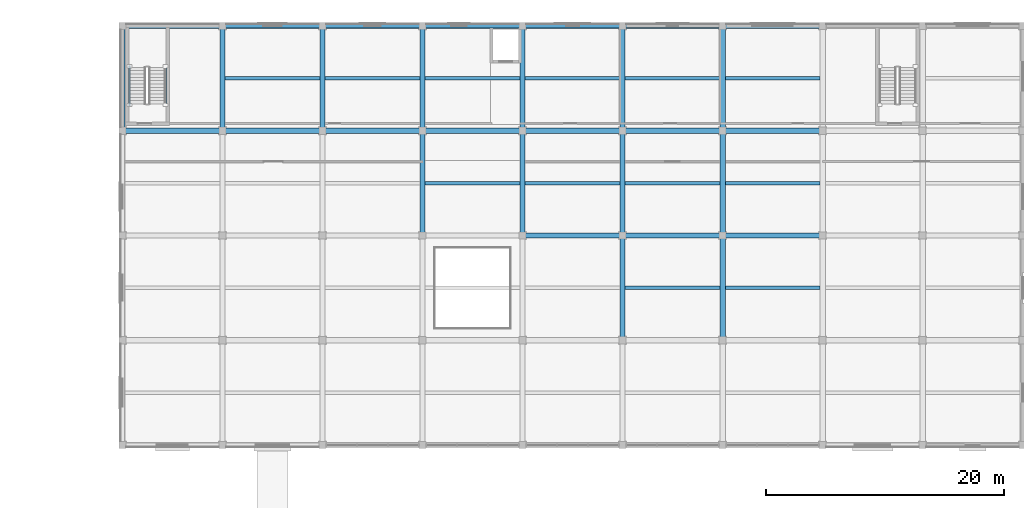
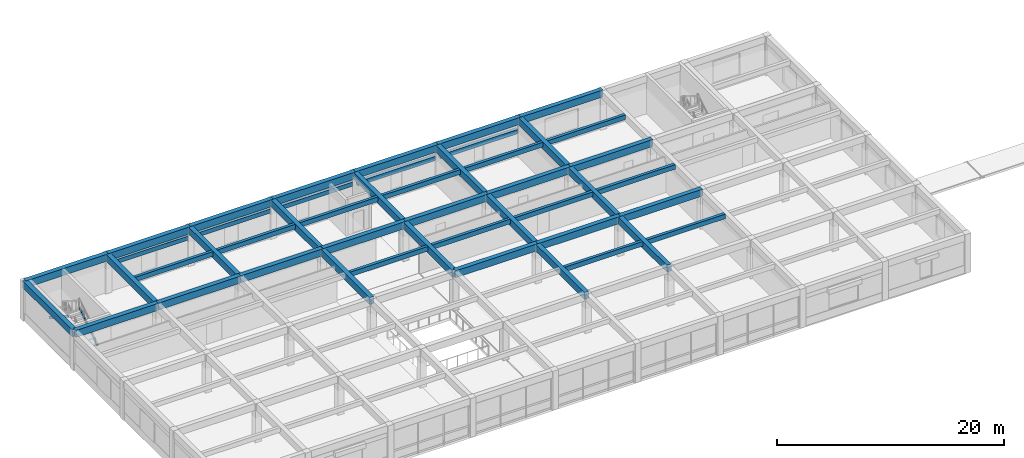
# One storey, part 14 of 46: 47 beams, 2 members.
"""IFC4 building model written with IfcOpenShell, lengths in metres."""

from ifc_helpers import new_model, si_unit, direction, frame, origin, origin_2d, place, context, subcontext, project, spatial, rectangle, hollow_rectangle, extrude, material, material_profile, profile_set, type_object, element, save


model = new_model("IFC4")

# Units and contexts
model_context = context("Model", 3, precision=1e-05, world=origin(), true_north=direction((0.0, 1.0)))
body_context = subcontext(model_context, "Body", "Model", "MODEL_VIEW")
ifc_project = project(units=[si_unit("LENGTHUNIT", "METRE"), si_unit("AREAUNIT", "SQUARE_METRE"), si_unit("VOLUMEUNIT", "CUBIC_METRE"), si_unit("PLANEANGLEUNIT", "RADIAN"), si_unit("MASSUNIT", "GRAM", prefix="KILO")], contexts=[model_context])

# Site, building, storey
site_placement = place(None, origin())
site = spatial("IfcSite", under=ifc_project, at=site_placement, CompositionType="ELEMENT")
building_placement = place(site_placement, origin())
building = spatial("IfcBuilding", under=site, at=building_placement, Name="Kemercrest Conservatory and Botanical Centre", CompositionType="ELEMENT")
storey_placement = place(building_placement, frame((0.0, 0.0, 9.0)))
storey = spatial("IfcBuildingStorey", under=building, at=storey_placement, Name="L02", CompositionType="ELEMENT", Elevation=9.0)

# Beams
ifc_material_1 = material(Name="Concrete C40/50", Category="concrete")
ifc_material_profile_1 = material_profile(ifc_material_1, rectangle(XDim=0.449951171875, YDim=0.75, at=origin_2d()), Name="RC 450x750")
ifc_profile_set_1 = profile_set([ifc_material_profile_1], Name="Concrete C40/50")
beam_type_1 = type_object("IfcBeamType", Name="BM-RC75", PredefinedType="BEAM", material=ifc_profile_set_1)
beam_1_placement = place(storey_placement, frame((50.0, 104.800048828125, 3.824951171875), z_axis=(1.0, 0.0, 0.0), x_axis=(0.0, 1.0, 0.0)))
element("IfcBeam", 1, at=beam_1_placement, inside=storey, type_object=beam_type_1, Name="V3-L03 beam BM-RC75 M/06-07", PredefinedType="BEAM", context=body_context, shape_type="SweptSolid", body=[
    extrude(rectangle(XDim=0.449951171875, YDim=0.75, at=origin_2d()), origin(), (0.0, 0.0, 1.0), 8.39990234375),
])
beam_2_placement = place(storey_placement, frame((58.39990234375, 104.800048828125, 3.824951171875), z_axis=(1.0, 0.0, 0.0), x_axis=(0.0, 1.0, 0.0)))
element("IfcBeam", 2, at=beam_2_placement, inside=storey, type_object=beam_type_1, Name="V3-L03 beam BM-RC75 M/07-08", PredefinedType="BEAM", context=body_context, shape_type="SweptSolid", body=[
    extrude(rectangle(XDim=0.449951171875, YDim=0.75, at=origin_2d()), origin(), (0.0, 0.0, 1.0), 8.400146484375),
])
beam_3_placement = place(storey_placement, frame((66.800048828125, 104.800048828125, 3.824951171875), z_axis=(1.0, 0.0, 0.0), x_axis=(0.0, 1.0, 0.0)))
element("IfcBeam", 3, at=beam_3_placement, inside=storey, type_object=beam_type_1, Name="V3-L03 beam BM-RC75 M/08-09", PredefinedType="BEAM", context=body_context, shape_type="SweptSolid", body=[
    extrude(rectangle(XDim=0.449951171875, YDim=0.75, at=origin_2d()), origin(), (0.0, 0.0, 1.0), 8.39990234375),
])
beam_4_placement = place(storey_placement, frame((16.39990234375, 113.60009765625, 3.824951171875), z_axis=(1.0, 0.0, 0.0), x_axis=(0.0, 1.0, 0.0)))
element("IfcBeam", 4, at=beam_4_placement, inside=storey, type_object=beam_type_1, Name="V3-L03 beam BM-RC75 N/02-03", PredefinedType="BEAM", context=body_context, shape_type="SweptSolid", body=[
    extrude(rectangle(XDim=0.449951171875, YDim=0.75, at=origin_2d()), origin(), (0.0, 0.0, 1.0), 8.400146484375),
])
beam_5_placement = place(storey_placement, frame((24.800048828125, 113.60009765625, 3.824951171875), z_axis=(1.0, 0.0, 0.0), x_axis=(0.0, 1.0, 0.0)))
element("IfcBeam", 5, at=beam_5_placement, inside=storey, type_object=beam_type_1, Name="V3-L03 beam BM-RC75 N/03-04", PredefinedType="BEAM", context=body_context, shape_type="SweptSolid", body=[
    extrude(rectangle(XDim=0.449951171875, YDim=0.75, at=origin_2d()), origin(), (0.0, 0.0, 1.0), 8.39990234375),
])
beam_6_placement = place(storey_placement, frame((33.199951171875, 113.60009765625, 3.824951171875), z_axis=(1.0, 0.0, 0.0), x_axis=(0.0, 1.0, 0.0)))
element("IfcBeam", 6, at=beam_6_placement, inside=storey, type_object=beam_type_1, Name="V3-L03 beam BM-RC75 N/04-05", PredefinedType="BEAM", context=body_context, shape_type="SweptSolid", body=[
    extrude(rectangle(XDim=0.449951171875, YDim=0.75, at=origin_2d()), origin(), (0.0, 0.0, 1.0), 8.400146484375),
])
for number, where, z_axis, x_axis, name in (
    (7, (41.60009765625, 113.60009765625, 3.824951171875), (1.0, 0.0, 0.0), (0.0, 1.0, 0.0), "V3-L03 beam BM-RC75 N/05-06"),
    (8, (50.0, 113.60009765625, 3.824951171875), (1.0, 0.0, 0.0), (0.0, 1.0, 0.0), "V3-L03 beam BM-RC75 N/06-07"),
):
    element("IfcBeam", number, at=place(storey_placement, frame(where, z_axis=z_axis, x_axis=x_axis)), inside=storey, type_object=beam_type_1, Name=name, PredefinedType="BEAM", context=body_context, shape_type="SweptSolid", body=[
        extrude(rectangle(XDim=0.449951171875, YDim=0.75, at=origin_2d()), origin(), (0.0, 0.0, 1.0), 8.39990234375),
    ])
beam_7_placement = place(storey_placement, frame((58.39990234375, 113.60009765625, 3.824951171875), z_axis=(1.0, 0.0, 0.0), x_axis=(0.0, 1.0, 0.0)))
element("IfcBeam", 9, at=beam_7_placement, inside=storey, type_object=beam_type_1, Name="V3-L03 beam BM-RC75 N/07-08", PredefinedType="BEAM", context=body_context, shape_type="SweptSolid", body=[
    extrude(rectangle(XDim=0.449951171875, YDim=0.75, at=origin_2d()), origin(), (0.0, 0.0, 1.0), 8.400146484375),
])
beam_8_placement = place(storey_placement, frame((66.800048828125, 113.60009765625, 3.824951171875), z_axis=(1.0, 0.0, 0.0), x_axis=(0.0, 1.0, 0.0)))
element("IfcBeam", 10, at=beam_8_placement, inside=storey, type_object=beam_type_1, Name="V3-L03 beam BM-RC75 N/08-09", PredefinedType="BEAM", context=body_context, shape_type="SweptSolid", body=[
    extrude(rectangle(XDim=0.449951171875, YDim=0.75, at=origin_2d()), origin(), (0.0, 0.0, 1.0), 8.39990234375),
])
for number, where, z_axis, x_axis, name in (
    (11, (24.800048828125, 113.60009765625, 3.824951171875), (0.0, 1.0, 0.0), (-1.0, 0.0, 0.0), "V3-L03 beam BM-RC75 03/N-P"),
    (12, (33.199951171875, 113.60009765625, 3.824951171875), (0.0, 1.0, 0.0), (-1.0, 0.0, 0.0), "V3-L03 beam BM-RC75 04/N-P"),
):
    element("IfcBeam", number, at=place(storey_placement, frame(where, z_axis=z_axis, x_axis=x_axis)), inside=storey, type_object=beam_type_1, Name=name, PredefinedType="BEAM", context=body_context, shape_type="SweptSolid", body=[
        extrude(rectangle(XDim=0.449951171875, YDim=0.75, at=origin_2d()), origin(), (0.0, 0.0, 1.0), 8.7998046875),
    ])
beam_9_placement = place(storey_placement, frame((41.60009765625, 104.800048828125, 3.824951171875), z_axis=(0.0, 1.0, 0.0), x_axis=(-1.0, 0.0, 0.0)))
element("IfcBeam", 13, at=beam_9_placement, inside=storey, type_object=beam_type_1, Name="V3-L03 beam BM-RC75 05/M-N", PredefinedType="BEAM", context=body_context, shape_type="SweptSolid", body=[
    extrude(rectangle(XDim=0.449951171875, YDim=0.75, at=origin_2d()), origin(), (0.0, 0.0, 1.0), 8.800048828125),
])
beam_10_placement = place(storey_placement, frame((41.60009765625, 113.60009765625, 3.824951171875), z_axis=(0.0, 1.0, 0.0), x_axis=(-1.0, 0.0, 0.0)))
element("IfcBeam", 14, at=beam_10_placement, inside=storey, type_object=beam_type_1, Name="V3-L03 beam BM-RC75 05/N-P", PredefinedType="BEAM", context=body_context, shape_type="SweptSolid", body=[
    extrude(rectangle(XDim=0.449951171875, YDim=0.75, at=origin_2d()), origin(), (0.0, 0.0, 1.0), 8.7998046875),
])
beam_11_placement = place(storey_placement, frame((50.0, 104.800048828125, 3.824951171875), z_axis=(0.0, 1.0, 0.0), x_axis=(-1.0, 0.0, 0.0)))
element("IfcBeam", 15, at=beam_11_placement, inside=storey, type_object=beam_type_1, Name="V3-L03 beam BM-RC75 06/M-N", PredefinedType="BEAM", context=body_context, shape_type="SweptSolid", body=[
    extrude(rectangle(XDim=0.449951171875, YDim=0.75, at=origin_2d()), origin(), (0.0, 0.0, 1.0), 8.800048828125),
])
beam_12_placement = place(storey_placement, frame((50.0, 113.60009765625, 3.824951171875), z_axis=(0.0, 1.0, 0.0), x_axis=(-1.0, 0.0, 0.0)))
element("IfcBeam", 16, at=beam_12_placement, inside=storey, type_object=beam_type_1, Name="V3-L03 beam BM-RC75 06/N-P", PredefinedType="BEAM", context=body_context, shape_type="SweptSolid", body=[
    extrude(rectangle(XDim=0.449951171875, YDim=0.75, at=origin_2d()), origin(), (0.0, 0.0, 1.0), 8.7998046875),
])
for number, where, z_axis, x_axis, name in (
    (17, (58.39990234375, 96.0, 3.824951171875), (0.0, 1.0, 0.0), (-1.0, 0.0, 0.0), "V3-L03 beam BM-RC75 07/L-M"),
    (18, (58.39990234375, 104.800048828125, 3.824951171875), (0.0, 1.0, 0.0), (-1.0, 0.0, 0.0), "V3-L03 beam BM-RC75 07/M-N"),
):
    element("IfcBeam", number, at=place(storey_placement, frame(where, z_axis=z_axis, x_axis=x_axis)), inside=storey, type_object=beam_type_1, Name=name, PredefinedType="BEAM", context=body_context, shape_type="SweptSolid", body=[
        extrude(rectangle(XDim=0.449951171875, YDim=0.75, at=origin_2d()), origin(), (0.0, 0.0, 1.0), 8.800048828125),
    ])
beam_13_placement = place(storey_placement, frame((58.39990234375, 113.60009765625, 3.824951171875), z_axis=(0.0, 1.0, 0.0), x_axis=(-1.0, 0.0, 0.0)))
element("IfcBeam", 19, at=beam_13_placement, inside=storey, type_object=beam_type_1, Name="V3-L03 beam BM-RC75 07/N-P", PredefinedType="BEAM", context=body_context, shape_type="SweptSolid", body=[
    extrude(rectangle(XDim=0.449951171875, YDim=0.75, at=origin_2d()), origin(), (0.0, 0.0, 1.0), 8.7998046875),
])
for number, where, z_axis, x_axis, name in (
    (20, (66.800048828125, 96.0, 3.824951171875), (0.0, 1.0, 0.0), (-1.0, 0.0, 0.0), "V3-L03 beam BM-RC75 08/L-M"),
    (21, (66.800048828125, 104.800048828125, 3.824951171875), (0.0, 1.0, 0.0), (-1.0, 0.0, 0.0), "V3-L03 beam BM-RC75 08/M-N"),
):
    element("IfcBeam", number, at=place(storey_placement, frame(where, z_axis=z_axis, x_axis=x_axis)), inside=storey, type_object=beam_type_1, Name=name, PredefinedType="BEAM", context=body_context, shape_type="SweptSolid", body=[
        extrude(rectangle(XDim=0.449951171875, YDim=0.75, at=origin_2d()), origin(), (0.0, 0.0, 1.0), 8.800048828125),
    ])
beam_14_placement = place(storey_placement, frame((66.800048828125, 113.60009765625, 3.824951171875), z_axis=(0.0, 1.0, 0.0), x_axis=(-1.0, 0.0, 0.0)))
element("IfcBeam", 22, at=beam_14_placement, inside=storey, type_object=beam_type_1, Name="V3-L03 beam BM-RC75 08/N-P", PredefinedType="BEAM", context=body_context, shape_type="SweptSolid", body=[
    extrude(rectangle(XDim=0.449951171875, YDim=0.75, at=origin_2d()), origin(), (0.0, 0.0, 1.0), 8.7998046875),
])
ifc_material_profile_2 = material_profile(ifc_material_1, rectangle(XDim=0.300048828125, YDim=0.5, at=origin_2d()), Name="RC 300x500")
ifc_profile_set_2 = profile_set([ifc_material_profile_2], Name="Concrete C40/50")
beam_type_2 = type_object("IfcBeamType", Name="JS-RC50", PredefinedType="JOIST", material=ifc_profile_set_2)
beam_15_placement = place(storey_placement, frame((58.625, 100.39990234375, 3.949951171875), z_axis=(1.0, 0.0, 0.0), x_axis=(0.0, 1.0, 0.0)))
element("IfcBeam", 23, at=beam_15_placement, inside=storey, type_object=beam_type_2, Name="V3-L03 secondary joist JS-RC50", PredefinedType="JOIST", context=body_context, shape_type="SweptSolid", body=[
    extrude(rectangle(XDim=0.300048828125, YDim=0.5, at=origin_2d()), origin(), (0.0, 0.0, 1.0), 7.949951171875),
])
beam_16_placement = place(storey_placement, frame((67.02490234375, 100.39990234375, 3.949951171875), z_axis=(1.0, 0.0, 0.0), x_axis=(0.0, 1.0, 0.0)))
element("IfcBeam", 24, at=beam_16_placement, inside=storey, type_object=beam_type_2, Name="V3-L03 secondary joist JS-RC50", PredefinedType="JOIST", context=body_context, shape_type="SweptSolid", body=[
    extrude(rectangle(XDim=0.300048828125, YDim=0.5, at=origin_2d()), origin(), (0.0, 0.0, 1.0), 7.9501953125),
])
for number, where, z_axis, x_axis, name in (
    (25, (41.824951171875, 109.199951171875, 3.949951171875), (1.0, 0.0, 0.0), (0.0, 1.0, 0.0), "V3-L03 secondary joist JS-RC50"),
    (26, (50.22509765625, 109.199951171875, 3.949951171875), (1.0, 0.0, 0.0), (0.0, 1.0, 0.0), "V3-L03 secondary joist JS-RC50"),
    (27, (58.625, 109.199951171875, 3.949951171875), (1.0, 0.0, 0.0), (0.0, 1.0, 0.0), "V3-L03 secondary joist JS-RC50"),
):
    element("IfcBeam", number, at=place(storey_placement, frame(where, z_axis=z_axis, x_axis=x_axis)), inside=storey, type_object=beam_type_2, Name=name, PredefinedType="JOIST", context=body_context, shape_type="SweptSolid", body=[
        extrude(rectangle(XDim=0.300048828125, YDim=0.5, at=origin_2d()), origin(), (0.0, 0.0, 1.0), 7.949951171875),
    ])
for number, where, z_axis, x_axis, name in (
    (28, (67.02490234375, 109.199951171875, 3.949951171875), (1.0, 0.0, 0.0), (0.0, 1.0, 0.0), "V3-L03 secondary joist JS-RC50"),
    (29, (25.02490234375, 118.0, 3.949951171875), (1.0, 0.0, 0.0), (0.0, 1.0, 0.0), "V3-L03 secondary joist JS-RC50"),
):
    element("IfcBeam", number, at=place(storey_placement, frame(where, z_axis=z_axis, x_axis=x_axis)), inside=storey, type_object=beam_type_2, Name=name, PredefinedType="JOIST", context=body_context, shape_type="SweptSolid", body=[
        extrude(rectangle(XDim=0.300048828125, YDim=0.5, at=origin_2d()), origin(), (0.0, 0.0, 1.0), 7.9501953125),
    ])
for number, where, z_axis, x_axis, name in (
    (30, (33.425048828125, 118.0, 3.949951171875), (1.0, 0.0, 0.0), (0.0, 1.0, 0.0), "V3-L03 secondary joist JS-RC50"),
    (31, (41.824951171875, 118.0, 3.949951171875), (1.0, 0.0, 0.0), (0.0, 1.0, 0.0), "V3-L03 secondary joist JS-RC50"),
    (32, (50.22509765625, 118.0, 3.949951171875), (1.0, 0.0, 0.0), (0.0, 1.0, 0.0), "V3-L03 secondary joist JS-RC50"),
    (33, (58.625, 118.0, 3.949951171875), (1.0, 0.0, 0.0), (0.0, 1.0, 0.0), "V3-L03 secondary joist JS-RC50"),
):
    element("IfcBeam", number, at=place(storey_placement, frame(where, z_axis=z_axis, x_axis=x_axis)), inside=storey, type_object=beam_type_2, Name=name, PredefinedType="JOIST", context=body_context, shape_type="SweptSolid", body=[
        extrude(rectangle(XDim=0.300048828125, YDim=0.5, at=origin_2d()), origin(), (0.0, 0.0, 1.0), 7.949951171875),
    ])
beam_17_placement = place(storey_placement, frame((67.02490234375, 118.0, 3.949951171875), z_axis=(1.0, 0.0, 0.0), x_axis=(0.0, 1.0, 0.0)))
element("IfcBeam", 34, at=beam_17_placement, inside=storey, type_object=beam_type_2, Name="V3-L03 secondary joist JS-RC50", PredefinedType="JOIST", context=body_context, shape_type="SweptSolid", body=[
    extrude(rectangle(XDim=0.300048828125, YDim=0.5, at=origin_2d()), origin(), (0.0, 0.0, 1.0), 7.9501953125),
])
ifc_material_2 = material(Name="Precast concrete C40/50", Category="concrete")
ifc_material_profile_3 = material_profile(ifc_material_2, rectangle(XDim=0.35009765625, YDim=0.449951171875, at=origin_2d()), Name="RC 350x450")
ifc_profile_set_3 = profile_set([ifc_material_profile_3], Name="Precast concrete C40/50")
beam_type_3 = type_object("IfcBeamType", Name="LN-RC47", PredefinedType="LINTEL", material=ifc_profile_set_3)
beam_18_placement = place(storey_placement, frame((66.550048828125, 122.39990234375, 2.72509765625), z_axis=(-1.0, 0.0, 0.0), x_axis=(0.0, -1.0, 0.0)))
element("IfcBeam", 35, at=beam_18_placement, inside=storey, type_object=beam_type_3, Name="Precast arched window lintel (WIN:L02:EXT-128)", PredefinedType="LINTEL", context=body_context, shape_type="SweptSolid", body=[
    extrude(rectangle(XDim=0.35009765625, YDim=0.449951171875, at=origin_2d()), origin(), (0.0, 0.0, 1.0), 7.900146484375),
])
for number, where, z_axis, x_axis, name in (
    (36, (58.14990234375, 122.39990234375, 2.77490234375), (-1.0, 0.0, 0.0), (0.0, -1.0, 0.0), "Precast arched window lintel (WIN:L02:EXT-129)"),
    (37, (49.75, 122.39990234375, 2.945068359375), (-1.0, 0.0, 0.0), (0.0, -1.0, 0.0), "Precast arched window lintel (WIN:L02:EXT-130)"),
):
    element("IfcBeam", number, at=place(storey_placement, frame(where, z_axis=z_axis, x_axis=x_axis)), inside=storey, type_object=beam_type_3, Name=name, PredefinedType="LINTEL", context=body_context, shape_type="SweptSolid", body=[
        extrude(rectangle(XDim=0.35009765625, YDim=0.449951171875, at=origin_2d()), origin(), (0.0, 0.0, 1.0), 7.89990234375),
    ])
beam_19_placement = place(storey_placement, frame((41.35009765625, 122.39990234375, 2.985107421875), z_axis=(-1.0, 0.0, 0.0), x_axis=(0.0, -1.0, 0.0)))
element("IfcBeam", 38, at=beam_19_placement, inside=storey, type_object=beam_type_3, Name="Precast arched window lintel (WIN:L02:EXT-131)", PredefinedType="LINTEL", context=body_context, shape_type="SweptSolid", body=[
    extrude(rectangle(XDim=0.35009765625, YDim=0.449951171875, at=origin_2d()), origin(), (0.0, 0.0, 1.0), 7.900146484375),
])
beam_20_placement = place(storey_placement, frame((32.949951171875, 122.39990234375, 3.0048828125), z_axis=(-1.0, 0.0, 0.0), x_axis=(0.0, -1.0, 0.0)))
element("IfcBeam", 39, at=beam_20_placement, inside=storey, type_object=beam_type_3, Name="Precast arched window lintel (WIN:L02:EXT-132)", PredefinedType="LINTEL", context=body_context, shape_type="SweptSolid", body=[
    extrude(rectangle(XDim=0.35009765625, YDim=0.449951171875, at=origin_2d()), origin(), (0.0, 0.0, 1.0), 7.89990234375),
])
ifc_material_profile_4 = material_profile(ifc_material_1, rectangle(XDim=0.449951171875, YDim=0.75, at=origin_2d()), Name="RC 450x750")
ifc_profile_set_4 = profile_set([ifc_material_profile_4], Name="Concrete C40/50")
beam_type_4 = type_object("IfcBeamType", Name="SP-RC75", PredefinedType="SPANDREL", material=ifc_profile_set_4)
beam_21_placement = place(storey_placement, frame((16.39990234375, 122.39990234375, 3.824951171875), z_axis=(1.0, 0.0, 0.0), x_axis=(0.0, 1.0, 0.0)))
element("IfcBeam", 40, at=beam_21_placement, inside=storey, type_object=beam_type_4, Name="V3-L03 beam SP-RC75 P/02-03", PredefinedType="SPANDREL", context=body_context, shape_type="SweptSolid", body=[
    extrude(rectangle(XDim=0.449951171875, YDim=0.75, at=origin_2d()), origin(), (0.0, 0.0, 1.0), 8.400146484375),
])
beam_22_placement = place(storey_placement, frame((24.800048828125, 122.39990234375, 3.824951171875), z_axis=(1.0, 0.0, 0.0), x_axis=(0.0, 1.0, 0.0)))
element("IfcBeam", 41, at=beam_22_placement, inside=storey, type_object=beam_type_4, Name="V3-L03 beam SP-RC75 P/03-04", PredefinedType="SPANDREL", context=body_context, shape_type="SweptSolid", body=[
    extrude(rectangle(XDim=0.449951171875, YDim=0.75, at=origin_2d()), origin(), (0.0, 0.0, 1.0), 8.39990234375),
])
beam_23_placement = place(storey_placement, frame((33.199951171875, 122.39990234375, 3.824951171875), z_axis=(1.0, 0.0, 0.0), x_axis=(0.0, 1.0, 0.0)))
element("IfcBeam", 42, at=beam_23_placement, inside=storey, type_object=beam_type_4, Name="V3-L03 beam SP-RC75 P/04-05", PredefinedType="SPANDREL", context=body_context, shape_type="SweptSolid", body=[
    extrude(rectangle(XDim=0.449951171875, YDim=0.75, at=origin_2d()), origin(), (0.0, 0.0, 1.0), 8.400146484375),
])
for number, where, z_axis, x_axis, name in (
    (43, (41.60009765625, 122.39990234375, 3.824951171875), (1.0, 0.0, 0.0), (0.0, 1.0, 0.0), "V3-L03 beam SP-RC75 P/05-06"),
    (44, (50.0, 122.39990234375, 3.824951171875), (1.0, 0.0, 0.0), (0.0, 1.0, 0.0), "V3-L03 beam SP-RC75 P/06-07"),
):
    element("IfcBeam", number, at=place(storey_placement, frame(where, z_axis=z_axis, x_axis=x_axis)), inside=storey, type_object=beam_type_4, Name=name, PredefinedType="SPANDREL", context=body_context, shape_type="SweptSolid", body=[
        extrude(rectangle(XDim=0.449951171875, YDim=0.75, at=origin_2d()), origin(), (0.0, 0.0, 1.0), 8.39990234375),
    ])
beam_24_placement = place(storey_placement, frame((58.39990234375, 122.39990234375, 3.824951171875), z_axis=(1.0, 0.0, 0.0), x_axis=(0.0, 1.0, 0.0)))
element("IfcBeam", 45, at=beam_24_placement, inside=storey, type_object=beam_type_4, Name="V3-L03 beam SP-RC75 P/07-08", PredefinedType="SPANDREL", context=body_context, shape_type="SweptSolid", body=[
    extrude(rectangle(XDim=0.449951171875, YDim=0.75, at=origin_2d()), origin(), (0.0, 0.0, 1.0), 8.400146484375),
])
beam_25_placement = place(storey_placement, frame((66.800048828125, 122.39990234375, 3.824951171875), z_axis=(1.0, 0.0, 0.0), x_axis=(0.0, 1.0, 0.0)))
element("IfcBeam", 46, at=beam_25_placement, inside=storey, type_object=beam_type_4, Name="V3-L03 beam SP-RC75 P/08-09", PredefinedType="SPANDREL", context=body_context, shape_type="SweptSolid", body=[
    extrude(rectangle(XDim=0.449951171875, YDim=0.75, at=origin_2d()), origin(), (0.0, 0.0, 1.0), 8.39990234375),
])
beam_26_placement = place(storey_placement, frame((16.39990234375, 113.60009765625, 3.824951171875), z_axis=(0.0, 1.0, 0.0), x_axis=(-1.0, 0.0, 0.0)))
element("IfcBeam", 47, at=beam_26_placement, inside=storey, type_object=beam_type_4, Name="V3-L03 beam SP-RC75 02/N-P", PredefinedType="SPANDREL", context=body_context, shape_type="SweptSolid", body=[
    extrude(rectangle(XDim=0.449951171875, YDim=0.75, at=origin_2d()), origin(), (0.0, 0.0, 1.0), 8.7998046875),
])

# Members
ifc_material_3 = material(Name="Steel CSA G40.21 350W", Category="steel")
ifc_material_profile_5 = material_profile(ifc_material_3, hollow_rectangle(XDim=0.15234375, YDim=0.25390625, WallThickness=0.009521484375, InnerFilletRadius=0.009521484375, OuterFilletRadius=0.01904296875, at=origin_2d()), Name="HSS 254x152x9.5")
ifc_profile_set_5 = profile_set([ifc_material_profile_5], Name="Steel CSA G40.21 350W")
member_type = type_object("IfcMemberType", Name="SR-STR254", PredefinedType="STRINGER", material=ifc_profile_set_5)
for number, where, z_axis, x_axis, name in (
    (48, (20.010009765625, 115.760009765625, -0.10009765625), (0.0, 0.84150589802, 0.540247927898), (-1.0, 0.0, 0.0), "Stair ST-V3A steel stringer #27"),
    (49, (16.989990234375, 115.760009765625, 4.080078125), (0.0, 0.84150589802, -0.540247927898), (-1.0, 0.0, 0.0), "Stair ST-V3A steel stringer #28"),
):
    element("IfcMember", number, at=place(storey_placement, frame(where, z_axis=z_axis, x_axis=x_axis)), inside=storey, type_object=member_type, Name=name, PredefinedType="STRINGER", context=body_context, shape_type="SweptSolid", body=[
        extrude(hollow_rectangle(XDim=0.15234375, YDim=0.25390625, WallThickness=0.009521484375, InnerFilletRadius=0.009521484375, OuterFilletRadius=0.01904296875, at=origin_2d()), origin(), (0.0, 0.0, 1.0), 3.850341796875),
    ])

save(model, "model.ifc")
